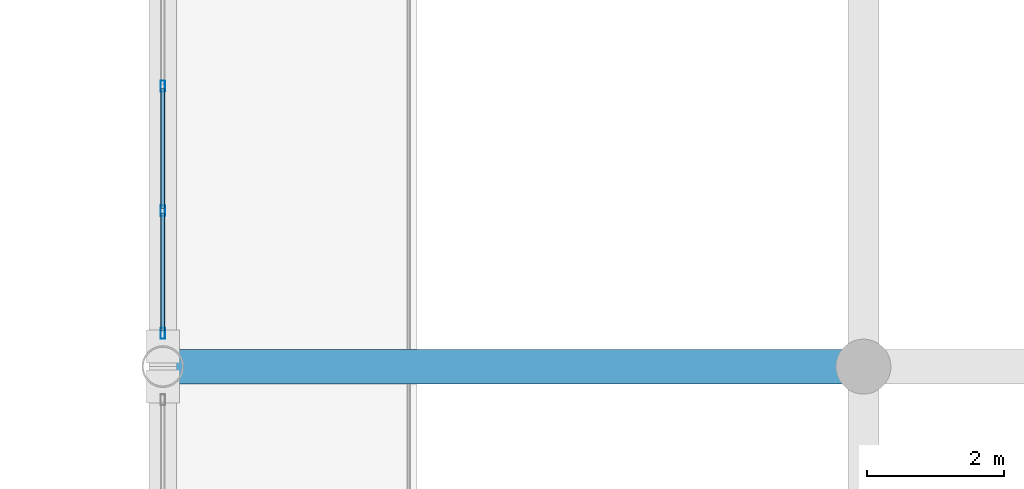
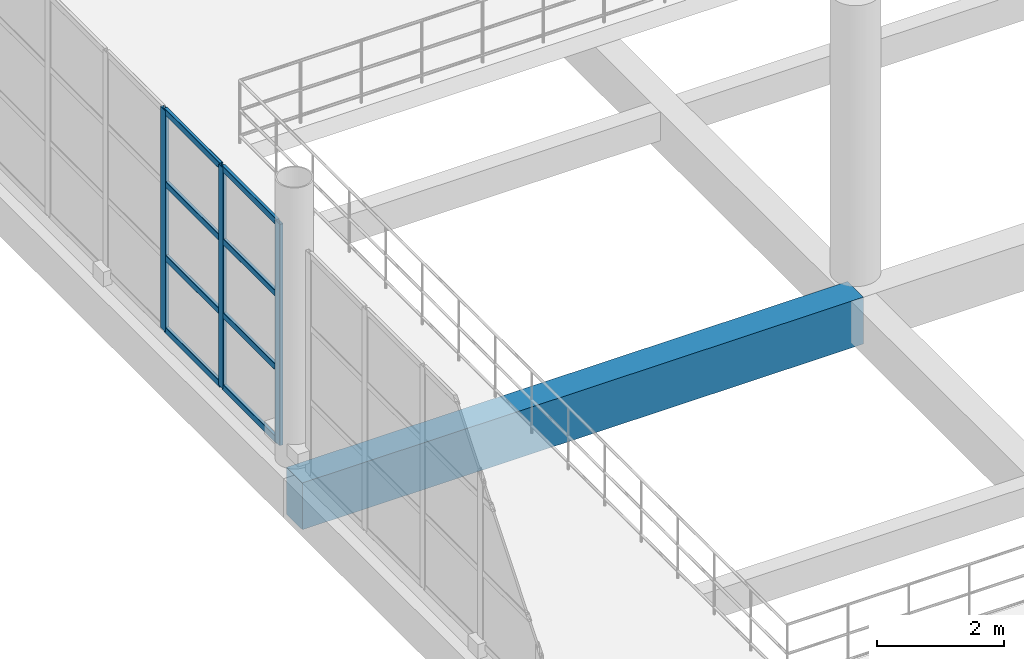
# One storey, part 65 of 175: 11 members, 1 beam, 1 element without a shape of its own.
"""IFC4 building model written with IfcOpenShell, lengths in metres."""

from ifc_helpers import new_model, si_unit, direction, frame, origin, origin_2d, place, context, subcontext, project, spatial, rectangle, hollow_rectangle, extrude, material, material_profile, profile_set, type_object, element, aggregate, save


model = new_model("IFC4")

# Units and contexts
model_context = context("Model", 3, precision=1e-05, world=origin(), true_north=direction((0.0, 1.0)))
body_context = subcontext(model_context, "Body", "Model", "MODEL_VIEW")
ifc_project = project(units=[si_unit("LENGTHUNIT", "METRE"), si_unit("AREAUNIT", "SQUARE_METRE"), si_unit("VOLUMEUNIT", "CUBIC_METRE"), si_unit("PLANEANGLEUNIT", "RADIAN"), si_unit("MASSUNIT", "GRAM", prefix="KILO")], contexts=[model_context])

# Site, building, storey
site_placement = place(None, origin())
site = spatial("IfcSite", under=ifc_project, at=site_placement, CompositionType="ELEMENT")
building_placement = place(site_placement, origin())
building = spatial("IfcBuilding", under=site, at=building_placement, Name="Brelvane Convention Centre", CompositionType="ELEMENT")
storey_placement = place(building_placement, frame((0.0, 0.0, 5.39990234375)))
storey = spatial("IfcBuildingStorey", under=building, at=storey_placement, Name="L01", CompositionType="ELEMENT", Elevation=5.39990234375)

# Curtain wall, members
ifc_material_1 = material(Name="Anodised Aluminium Alloy 6063-T6", Category="aluminium")
curtain_wall_type = type_object("IfcCurtainWallType", Name="Curtain Wall CW-CONC", PredefinedType="USERDEFINED", material=ifc_material_1)
curtain_wall_placement = place(storey_placement, origin())
curtain_wall = element("IfcCurtainWall", 1, at=curtain_wall_placement, inside=storey, type_object=curtain_wall_type, Name="Curtain Wall CW-CONC L01-GAL-ATRIUM-W-3", ObjectType="UNITISED", PredefinedType="USERDEFINED")
ifc_material_2 = material(Name="Anodised Aluminium Alloy 6063-T6", Category="aluminium")
ifc_material_profile_1 = material_profile(ifc_material_2, hollow_rectangle(XDim=0.06494140625, YDim=0.159912109375, WallThickness=0.00390625, InnerFilletRadius=0.00390625, OuterFilletRadius=0.008056640625, at=origin_2d()), Name="ALU-M 160x65x4.0")
ifc_profile_set_1 = profile_set([ifc_material_profile_1], Name="Anodised Aluminium Alloy 6063-T6")
member_type_1 = type_object("IfcMemberType", Name="Curtain Mullion CW-M3", PredefinedType="MULLION", material=ifc_profile_set_1)
member_1_placement = place(storey_placement, frame((142.800048828125, 64.6826171875, 0.0), z_axis=(0.0, 0.0, 1.0), x_axis=(-1.0, 0.0, 0.0)))
member_1 = element("IfcMember", 2, at=member_1_placement, type_object=member_type_1, Name="CW-CONC mullion 1", PredefinedType="MULLION", context=body_context, shape_type="SweptSolid", body=[
    extrude(hollow_rectangle(XDim=0.06494140625, YDim=0.159912109375, WallThickness=0.00390625, InnerFilletRadius=0.00390625, OuterFilletRadius=0.008056640625, at=origin_2d()), origin(), (0.0, 0.0, 1.0), 4.25),
])
member_2_placement = place(storey_placement, frame((142.800048828125, 66.466552734375, 0.0), z_axis=(0.0, 0.0, 1.0), x_axis=(-1.0, 0.0, 0.0)))
member_2 = element("IfcMember", 3, at=member_2_placement, type_object=member_type_1, Name="CW-CONC mullion 2", PredefinedType="MULLION", context=body_context, shape_type="SweptSolid", body=[
    extrude(hollow_rectangle(XDim=0.06494140625, YDim=0.159912109375, WallThickness=0.00390625, InnerFilletRadius=0.00390625, OuterFilletRadius=0.008056640625, at=origin_2d()), origin(), (0.0, 0.0, 1.0), 4.25),
])
member_3_placement = place(storey_placement, frame((142.800048828125, 68.283447265625, 0.0), z_axis=(0.0, 0.0, 1.0), x_axis=(-1.0, 0.0, 0.0)))
member_3 = element("IfcMember", 4, at=member_3_placement, type_object=member_type_1, Name="CW-CONC mullion 3", PredefinedType="MULLION", context=body_context, shape_type="SweptSolid", body=[
    extrude(hollow_rectangle(XDim=0.06494140625, YDim=0.159912109375, WallThickness=0.00390625, InnerFilletRadius=0.00390625, OuterFilletRadius=0.008056640625, at=origin_2d()), origin(), (0.0, 0.0, 1.0), 4.25),
])
ifc_material_3 = material(Name="Anodised Aluminium Alloy 6063-T6", Category="aluminium")
ifc_material_profile_2 = material_profile(ifc_material_3, hollow_rectangle(XDim=0.06005859375, YDim=0.1201171875, WallThickness=0.00390625, InnerFilletRadius=0.00390625, OuterFilletRadius=0.008056640625, at=origin_2d()), Name="ALU-T 120x60x4.0")
ifc_profile_set_2 = profile_set([ifc_material_profile_2], Name="Anodised Aluminium Alloy 6063-T6")
member_type_2 = type_object("IfcMemberType", Name="Curtain Transom CW-T3", PredefinedType="USERDEFINED", material=ifc_profile_set_2)
member_4_placement = place(storey_placement, frame((142.800048828125, 64.715087890625, 0.030029296875), z_axis=(0.0, 1.0, 0.0), x_axis=(-1.0, 0.0, 0.0)))
member_4 = element("IfcMember", 5, at=member_4_placement, type_object=member_type_2, Name="CW-CONC transom 1.1", ObjectType="TRANSOM", PredefinedType="USERDEFINED", context=body_context, shape_type="SweptSolid", body=[
    extrude(hollow_rectangle(XDim=0.06005859375, YDim=0.1201171875, WallThickness=0.00390625, InnerFilletRadius=0.00390625, OuterFilletRadius=0.008056640625, at=origin_2d()), origin(), (0.0, 0.0, 1.0), 1.718994140625),
])
member_5_placement = place(storey_placement, frame((142.800048828125, 64.715087890625, 1.416748046875), z_axis=(0.0, 1.0, 0.0), x_axis=(-1.0, 0.0, 0.0)))
member_5 = element("IfcMember", 6, at=member_5_placement, type_object=member_type_2, Name="CW-CONC transom 1.2", ObjectType="TRANSOM", PredefinedType="USERDEFINED", context=body_context, shape_type="SweptSolid", body=[
    extrude(hollow_rectangle(XDim=0.06005859375, YDim=0.1201171875, WallThickness=0.00390625, InnerFilletRadius=0.00390625, OuterFilletRadius=0.008056640625, at=origin_2d()), origin(), (0.0, 0.0, 1.0), 1.718994140625),
])
member_6_placement = place(storey_placement, frame((142.800048828125, 64.715087890625, 2.83349609375), z_axis=(0.0, 1.0, 0.0), x_axis=(-1.0, 0.0, 0.0)))
member_6 = element("IfcMember", 7, at=member_6_placement, type_object=member_type_2, Name="CW-CONC transom 1.3", ObjectType="TRANSOM", PredefinedType="USERDEFINED", context=body_context, shape_type="SweptSolid", body=[
    extrude(hollow_rectangle(XDim=0.06005859375, YDim=0.1201171875, WallThickness=0.00390625, InnerFilletRadius=0.00390625, OuterFilletRadius=0.008056640625, at=origin_2d()), origin(), (0.0, 0.0, 1.0), 1.718994140625),
])
member_7_placement = place(storey_placement, frame((142.800048828125, 64.715087890625, 4.22021484375), z_axis=(0.0, 1.0, 0.0), x_axis=(-1.0, 0.0, 0.0)))
member_7 = element("IfcMember", 8, at=member_7_placement, type_object=member_type_2, Name="CW-CONC transom 1.4", ObjectType="TRANSOM", PredefinedType="USERDEFINED", context=body_context, shape_type="SweptSolid", body=[
    extrude(hollow_rectangle(XDim=0.06005859375, YDim=0.1201171875, WallThickness=0.00390625, InnerFilletRadius=0.00390625, OuterFilletRadius=0.008056640625, at=origin_2d()), origin(), (0.0, 0.0, 1.0), 1.718994140625),
])
member_8_placement = place(storey_placement, frame((142.800048828125, 66.499267578125, 0.030029296875), z_axis=(0.0, 1.0, 0.0), x_axis=(-1.0, 0.0, 0.0)))
member_8 = element("IfcMember", 9, at=member_8_placement, type_object=member_type_2, Name="CW-CONC transom 2.1", ObjectType="TRANSOM", PredefinedType="USERDEFINED", context=body_context, shape_type="SweptSolid", body=[
    extrude(hollow_rectangle(XDim=0.06005859375, YDim=0.1201171875, WallThickness=0.00390625, InnerFilletRadius=0.00390625, OuterFilletRadius=0.008056640625, at=origin_2d()), origin(), (0.0, 0.0, 1.0), 1.75146484375),
])
member_9_placement = place(storey_placement, frame((142.800048828125, 66.499267578125, 1.416748046875), z_axis=(0.0, 1.0, 0.0), x_axis=(-1.0, 0.0, 0.0)))
member_9 = element("IfcMember", 10, at=member_9_placement, type_object=member_type_2, Name="CW-CONC transom 2.2", ObjectType="TRANSOM", PredefinedType="USERDEFINED", context=body_context, shape_type="SweptSolid", body=[
    extrude(hollow_rectangle(XDim=0.06005859375, YDim=0.1201171875, WallThickness=0.00390625, InnerFilletRadius=0.00390625, OuterFilletRadius=0.008056640625, at=origin_2d()), origin(), (0.0, 0.0, 1.0), 1.75146484375),
])
member_10_placement = place(storey_placement, frame((142.800048828125, 66.499267578125, 2.83349609375), z_axis=(0.0, 1.0, 0.0), x_axis=(-1.0, 0.0, 0.0)))
member_10 = element("IfcMember", 11, at=member_10_placement, type_object=member_type_2, Name="CW-CONC transom 2.3", ObjectType="TRANSOM", PredefinedType="USERDEFINED", context=body_context, shape_type="SweptSolid", body=[
    extrude(hollow_rectangle(XDim=0.06005859375, YDim=0.1201171875, WallThickness=0.00390625, InnerFilletRadius=0.00390625, OuterFilletRadius=0.008056640625, at=origin_2d()), origin(), (0.0, 0.0, 1.0), 1.75146484375),
])
member_11_placement = place(storey_placement, frame((142.800048828125, 66.499267578125, 4.22021484375), z_axis=(0.0, 1.0, 0.0), x_axis=(-1.0, 0.0, 0.0)))
member_11 = element("IfcMember", 12, at=member_11_placement, type_object=member_type_2, Name="CW-CONC transom 2.4", ObjectType="TRANSOM", PredefinedType="USERDEFINED", context=body_context, shape_type="SweptSolid", body=[
    extrude(hollow_rectangle(XDim=0.06005859375, YDim=0.1201171875, WallThickness=0.00390625, InnerFilletRadius=0.00390625, OuterFilletRadius=0.008056640625, at=origin_2d()), origin(), (0.0, 0.0, 1.0), 1.75146484375),
])
aggregate(curtain_wall, [member_1, member_2, member_3, member_4, member_5, member_6, member_7, member_8, member_9, member_10, member_11])

# Beam
ifc_material_4 = material(Name="Concrete M40", Category="concrete")
ifc_material_profile_3 = material_profile(ifc_material_4, rectangle(XDim=0.5, YDim=0.89990234375, at=origin_2d()), Name="RC 500x900")
ifc_profile_set_3 = profile_set([ifc_material_profile_3], Name="Concrete M40")
beam_type = type_object("IfcBeamType", Name="RC Beam B-RC4 (RC 500x900)", PredefinedType="BEAM", material=ifc_profile_set_3)
beam_placement = place(storey_placement, frame((142.800048828125, 64.199951171875, -0.77978515625), z_axis=(1.0, 0.0, 0.0), x_axis=(0.0, 1.0, 0.0)))
element("IfcBeam", 13, at=beam_placement, inside=storey, type_object=beam_type, Name="L01 Beam 15-16/G", PredefinedType="BEAM", context=body_context, shape_type="SweptSolid", body=[
    extrude(rectangle(XDim=0.5, YDim=0.89990234375, at=origin_2d()), origin(), (0.0, 0.0, 1.0), 10.199951171875),
])

save(model, "model.ifc")
